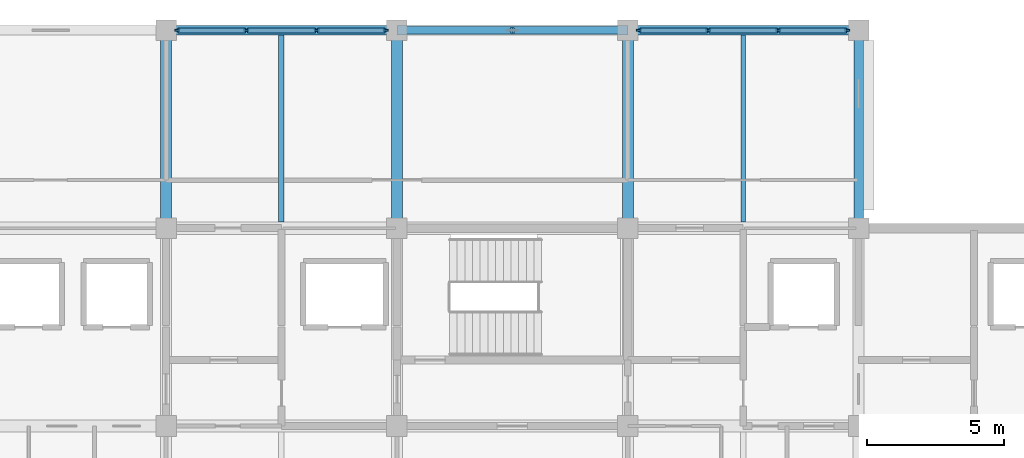
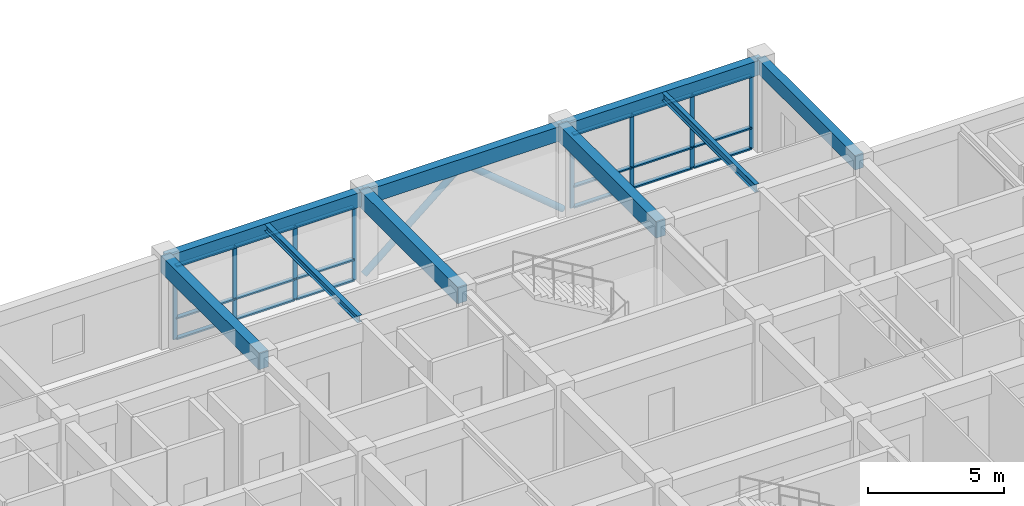
# One storey, part 9 of 27: 28 members, 9 beams, 2 elements without a shape of their own.
"""IFC4 building model written with IfcOpenShell, lengths in metres."""

from ifc_helpers import new_model, si_unit, direction, frame, origin, origin_2d, place, context, subcontext, project, spatial, rectangle, hollow_circle, i_section, extrude, material, layer, layer_set, material_profile, profile_set, type_object, element, aggregate, save


model = new_model("IFC4")

# Units and contexts
model_context = context("Model", 3, precision=1e-05, world=origin(), true_north=direction((0.0, 1.0)))
body_context = subcontext(model_context, "Body", "Model", "MODEL_VIEW")
ifc_project = project(units=[si_unit("LENGTHUNIT", "METRE"), si_unit("AREAUNIT", "SQUARE_METRE"), si_unit("VOLUMEUNIT", "CUBIC_METRE"), si_unit("PLANEANGLEUNIT", "RADIAN"), si_unit("MASSUNIT", "GRAM", prefix="KILO")], contexts=[model_context])

# Site, building, storey
site_placement = place(None, origin())
site = spatial("IfcSite", under=ifc_project, at=site_placement, CompositionType="ELEMENT")
building_placement = place(site_placement, origin())
building = spatial("IfcBuilding", under=site, at=building_placement, Name="Chengyuan Square Courthouse", CompositionType="ELEMENT")
storey_placement = place(building_placement, frame((0.0, 0.0, 35.10009765625)))
storey = spatial("IfcBuildingStorey", under=building, at=storey_placement, Name="L08", CompositionType="ELEMENT", Elevation=35.10009765625)

# Beams
ifc_material_1 = material(Name="Concrete C40", Category="concrete")
ifc_material_profile_1 = material_profile(ifc_material_1, rectangle(XDim=0.39990234375, YDim=0.75, at=origin_2d()), Name="RC-BM-400x750")
ifc_profile_set_1 = profile_set([ifc_material_profile_1], Name="Concrete C40")
beam_type_1 = type_object("IfcBeamType", Name="BM-02", PredefinedType="USERDEFINED", material=ifc_profile_set_1)
for number, where, z_axis, x_axis, name in (
    (1, (92.39990234375, 108.0, 3.574951171875), (0.0, 1.0, 0.0), (-1.0, 0.0, 0.0), "Girder BM-L08-3859"),
    (2, (100.800048828125, 108.0, 3.574951171875), (0.0, 1.0, 0.0), (-1.0, 0.0, 0.0), "Girder BM-L08-3864"),
    (3, (109.199951171875, 108.0, 3.574951171875), (0.0, 1.0, 0.0), (-1.0, 0.0, 0.0), "Girder BM-L08-3869"),
):
    element("IfcBeam", number, at=place(storey_placement, frame(where, z_axis=z_axis, x_axis=x_axis)), inside=storey, type_object=beam_type_1, Name=name, ObjectType="GIRDER", PredefinedType="USERDEFINED", context=body_context, shape_type="SweptSolid", body=[
        extrude(rectangle(XDim=0.39990234375, YDim=0.75, at=origin_2d()), origin(), (0.0, 0.0, 1.0), 7.199951171875),
    ])
ifc_material_profile_2 = material_profile(ifc_material_1, rectangle(XDim=0.35009765625, YDim=0.64990234375, at=origin_2d()), Name="RC-BM-350x650")
ifc_profile_set_2 = profile_set([ifc_material_profile_2], Name="Concrete C40")
beam_type_2 = type_object("IfcBeamType", Name="BM-03", PredefinedType="SPANDREL", material=ifc_profile_set_2)
beam_1_placement = place(storey_placement, frame((92.39990234375, 115.199951171875, 3.625), z_axis=(1.0, 0.0, 0.0), x_axis=(0.0, 1.0, 0.0)))
element("IfcBeam", 4, at=beam_1_placement, inside=storey, type_object=beam_type_2, Name="Girder BM-L08-3823", PredefinedType="SPANDREL", context=body_context, shape_type="SweptSolid", body=[
    extrude(rectangle(XDim=0.35009765625, YDim=0.64990234375, at=origin_2d()), origin(), (0.0, 0.0, 1.0), 8.400146484375),
])
beam_2_placement = place(storey_placement, frame((100.800048828125, 115.199951171875, 3.625), z_axis=(1.0, 0.0, 0.0), x_axis=(0.0, 1.0, 0.0)))
element("IfcBeam", 5, at=beam_2_placement, inside=storey, type_object=beam_type_2, Name="Girder BM-L08-3824", PredefinedType="SPANDREL", context=body_context, shape_type="SweptSolid", body=[
    extrude(rectangle(XDim=0.35009765625, YDim=0.64990234375, at=origin_2d()), origin(), (0.0, 0.0, 1.0), 8.39990234375),
])
beam_3_placement = place(storey_placement, frame((109.199951171875, 115.199951171875, 3.625), z_axis=(1.0, 0.0, 0.0), x_axis=(0.0, 1.0, 0.0)))
element("IfcBeam", 6, at=beam_3_placement, inside=storey, type_object=beam_type_2, Name="Girder BM-L08-3825", PredefinedType="SPANDREL", context=body_context, shape_type="SweptSolid", body=[
    extrude(rectangle(XDim=0.35009765625, YDim=0.64990234375, at=origin_2d()), origin(), (0.0, 0.0, 1.0), 8.400146484375),
])
beam_4_placement = place(storey_placement, frame((117.60009765625, 108.0, 3.625), z_axis=(0.0, 1.0, 0.0), x_axis=(-1.0, 0.0, 0.0)))
element("IfcBeam", 7, at=beam_4_placement, inside=storey, type_object=beam_type_2, Name="Girder BM-L08-3874", PredefinedType="SPANDREL", context=body_context, shape_type="SweptSolid", body=[
    extrude(rectangle(XDim=0.35009765625, YDim=0.64990234375, at=origin_2d()), origin(), (0.0, 0.0, 1.0), 7.199951171875),
])
ifc_material_2 = material(Name="Steel Q355B", Category="steel")
ifc_material_profile_3 = material_profile(ifc_material_2, i_section(OverallWidth=0.175048828125, OverallDepth=0.35009765625, WebThickness=0.007080078125, FlangeThickness=0.010986328125, at=origin_2d()), Name="HN 350x175x7x11")
ifc_profile_set_3 = profile_set([ifc_material_profile_3], Name="Steel Q355B")
beam_type_3 = type_object("IfcBeamType", Name="BM-08", PredefinedType="BEAM", material=ifc_profile_set_3)
beam_5_placement = place(storey_placement, frame((113.39990234375, 108.22509765625, 3.77490234375), z_axis=(0.0, 1.0, 0.0), x_axis=(-1.0, 0.0, 0.0)))
element("IfcBeam", 8, at=beam_5_placement, inside=storey, type_object=beam_type_3, Name="Secondary Floor Beam SBM-L08-3895", PredefinedType="BEAM", context=body_context, shape_type="SweptSolid", body=[
    extrude(i_section(OverallWidth=0.175048828125, OverallDepth=0.35009765625, WebThickness=0.007080078125, FlangeThickness=0.010986328125, at=origin_2d()), origin(), (0.0, 0.0, 1.0), 6.7998046875),
])
ifc_material_profile_4 = material_profile(ifc_material_2, i_section(OverallWidth=0.199951171875, OverallDepth=0.300048828125, WebThickness=0.008056640625, FlangeThickness=0.011962890625, at=origin_2d()), Name="HM 300x200x8x12")
ifc_profile_set_4 = profile_set([ifc_material_profile_4], Name="Steel Q355B")
beam_type_4 = type_object("IfcBeamType", Name="BM-09", PredefinedType="BEAM", material=ifc_profile_set_4)
beam_6_placement = place(storey_placement, frame((96.60009765625, 108.22509765625, 3.7998046875), z_axis=(0.0, 1.0, 0.0), x_axis=(-1.0, 0.0, 0.0)))
element("IfcBeam", 9, at=beam_6_placement, inside=storey, type_object=beam_type_4, Name="Secondary Floor Beam SBM-L08-3892", PredefinedType="BEAM", context=body_context, shape_type="SweptSolid", body=[
    extrude(i_section(OverallWidth=0.199951171875, OverallDepth=0.300048828125, WebThickness=0.008056640625, FlangeThickness=0.011962890625, at=origin_2d()), origin(), (0.0, 0.0, 1.0), 6.7998046875),
])

# Members
ifc_material_profile_5 = material_profile(ifc_material_2, hollow_circle(Radius=0.136474609375, WallThickness=0.010009765625, at=origin_2d()), Name="CHS 273x10")
ifc_profile_set_5 = profile_set([ifc_material_profile_5], Name="Steel Q355B")
member_type_1 = type_object("IfcMemberType", Name="BR-01", PredefinedType="BRACE", material=ifc_profile_set_5)
for number, where, z_axis, x_axis, name in (
    (10, (100.800048828125, 115.199951171875, 0.099853515625), (0.768217619255, 0.0, 0.64018879205), (0.0, 1.0, 0.0), "Steel Chevron Brace BR-L08-031"),
    (11, (109.199951171875, 115.199951171875, 0.099853515625), (-0.768217619255, 0.0, 0.64018879205), (0.0, -1.0, 0.0), "Steel Chevron Brace BR-L08-032"),
):
    element("IfcMember", number, at=place(storey_placement, frame(where, z_axis=z_axis, x_axis=x_axis)), inside=storey, type_object=member_type_1, Name=name, PredefinedType="BRACE", context=body_context, shape_type="SweptSolid", body=[
        extrude(hollow_circle(Radius=0.136474609375, WallThickness=0.010009765625, at=origin_2d()), origin(), (0.0, 0.0, 1.0), 5.467041015625),
    ])

# Curtain wall, members
ifc_material_3 = material(Name="Unitised Aluminium and Triple Low-E Glass", Category="aluminium")
ifc_layer = layer(ifc_material_3, 0.179931640625)
ifc_layer_set = layer_set([ifc_layer], Name="Unitised Aluminium and Triple Low-E Glass")
curtain_wall_type = type_object("IfcCurtainWallType", Name="CW-22", PredefinedType="USERDEFINED", material=ifc_layer_set)
curtain_wall_1_placement = place(storey_placement, origin())
curtain_wall_1 = element("IfcCurtainWall", 12, at=curtain_wall_1_placement, inside=storey, type_object=curtain_wall_type, Name="Unitised Curtain Wall CW-L08-229", ObjectType="UNITISED CURTAIN WALL", PredefinedType="USERDEFINED")
ifc_material_4 = material(Name="Aluminium 6063-T6 Frame", Category="aluminium")
ifc_material_profile_6 = material_profile(ifc_material_4, rectangle(XDim=0.06494140625, YDim=0.179931640625, at=origin_2d()), Name="CW-MUL-65x180")
ifc_profile_set_6 = profile_set([ifc_material_profile_6], Name="Aluminium 6063-T6 Frame")
member_type_2 = type_object("IfcMemberType", Name="CWM-02", PredefinedType="MULLION", material=ifc_profile_set_6)
member_1_placement = place(storey_placement, frame((92.8076171875, 115.199951171875, 0.0), z_axis=(0.0, 0.0, 1.0), x_axis=(0.0, 1.0, 0.0)))
member_1 = element("IfcMember", 13, at=member_1_placement, type_object=member_type_2, Name="CW-22 mullion 1", PredefinedType="MULLION", context=body_context, shape_type="SweptSolid", body=[
    extrude(rectangle(XDim=0.06494140625, YDim=0.179931640625, at=origin_2d()), origin(), (0.0, 0.0, 1.0), 3.2998046875),
])
member_2_placement = place(storey_placement, frame((95.324951171875, 115.199951171875, 0.0), z_axis=(0.0, 0.0, 1.0), x_axis=(0.0, 1.0, 0.0)))
member_2 = element("IfcMember", 14, at=member_2_placement, type_object=member_type_2, Name="CW-22 mullion 2", PredefinedType="MULLION", context=body_context, shape_type="SweptSolid", body=[
    extrude(rectangle(XDim=0.06494140625, YDim=0.179931640625, at=origin_2d()), origin(), (0.0, 0.0, 1.0), 3.2998046875),
])
member_3_placement = place(storey_placement, frame((97.875, 115.199951171875, 0.0), z_axis=(0.0, 0.0, 1.0), x_axis=(0.0, 1.0, 0.0)))
member_3 = element("IfcMember", 15, at=member_3_placement, type_object=member_type_2, Name="CW-22 mullion 3", PredefinedType="MULLION", context=body_context, shape_type="SweptSolid", body=[
    extrude(rectangle(XDim=0.06494140625, YDim=0.179931640625, at=origin_2d()), origin(), (0.0, 0.0, 1.0), 3.2998046875),
])
member_4_placement = place(storey_placement, frame((100.392578125, 115.199951171875, 0.0), z_axis=(0.0, 0.0, 1.0), x_axis=(0.0, 1.0, 0.0)))
member_4 = element("IfcMember", 16, at=member_4_placement, type_object=member_type_2, Name="CW-22 mullion 4", PredefinedType="MULLION", context=body_context, shape_type="SweptSolid", body=[
    extrude(rectangle(XDim=0.06494140625, YDim=0.179931640625, at=origin_2d()), origin(), (0.0, 0.0, 1.0), 3.2998046875),
])

curtain_wall_2_placement = place(storey_placement, origin())
curtain_wall_2 = element("IfcCurtainWall", 17, at=curtain_wall_2_placement, inside=storey, type_object=curtain_wall_type, Name="Unitised Curtain Wall CW-L08-232", ObjectType="UNITISED CURTAIN WALL", PredefinedType="USERDEFINED")
member_5_placement = place(storey_placement, frame((109.607421875, 115.199951171875, 0.0), z_axis=(0.0, 0.0, 1.0), x_axis=(0.0, 1.0, 0.0)))
member_5 = element("IfcMember", 18, at=member_5_placement, type_object=member_type_2, Name="CW-22 mullion 1", PredefinedType="MULLION", context=body_context, shape_type="SweptSolid", body=[
    extrude(rectangle(XDim=0.06494140625, YDim=0.179931640625, at=origin_2d()), origin(), (0.0, 0.0, 1.0), 3.2998046875),
])
member_6_placement = place(storey_placement, frame((112.125, 115.199951171875, 0.0), z_axis=(0.0, 0.0, 1.0), x_axis=(0.0, 1.0, 0.0)))
member_6 = element("IfcMember", 19, at=member_6_placement, type_object=member_type_2, Name="CW-22 mullion 2", PredefinedType="MULLION", context=body_context, shape_type="SweptSolid", body=[
    extrude(rectangle(XDim=0.06494140625, YDim=0.179931640625, at=origin_2d()), origin(), (0.0, 0.0, 1.0), 3.2998046875),
])
member_7_placement = place(storey_placement, frame((114.675048828125, 115.199951171875, 0.0), z_axis=(0.0, 0.0, 1.0), x_axis=(0.0, 1.0, 0.0)))
member_7 = element("IfcMember", 20, at=member_7_placement, type_object=member_type_2, Name="CW-22 mullion 3", PredefinedType="MULLION", context=body_context, shape_type="SweptSolid", body=[
    extrude(rectangle(XDim=0.06494140625, YDim=0.179931640625, at=origin_2d()), origin(), (0.0, 0.0, 1.0), 3.2998046875),
])
member_8_placement = place(storey_placement, frame((117.1923828125, 115.199951171875, 0.0), z_axis=(0.0, 0.0, 1.0), x_axis=(0.0, 1.0, 0.0)))
member_8 = element("IfcMember", 21, at=member_8_placement, type_object=member_type_2, Name="CW-22 mullion 4", PredefinedType="MULLION", context=body_context, shape_type="SweptSolid", body=[
    extrude(rectangle(XDim=0.06494140625, YDim=0.179931640625, at=origin_2d()), origin(), (0.0, 0.0, 1.0), 3.2998046875),
])

# Member
ifc_material_profile_7 = material_profile(ifc_material_4, rectangle(XDim=0.179931640625, YDim=0.06494140625, at=origin_2d()), Name="CW-TRN-65x140")
ifc_profile_set_7 = profile_set([ifc_material_profile_7], Name="Aluminium 6063-T6 Frame")
member_type_3 = type_object("IfcMemberType", Name="CWT-02", PredefinedType="USERDEFINED", material=ifc_profile_set_7)
member_9_placement = place(storey_placement, frame((92.840087890625, 115.199951171875, 0.032470703125), z_axis=(1.0, 0.0, 0.0), x_axis=(0.0, 1.0, 0.0)))
member_9 = element("IfcMember", 22, at=member_9_placement, type_object=member_type_3, Name="CW-22 transom 1.1", ObjectType="TRANSOM", PredefinedType="USERDEFINED", context=body_context, shape_type="SweptSolid", body=[
    extrude(rectangle(XDim=0.179931640625, YDim=0.06494140625, at=origin_2d()), origin(), (0.0, 0.0, 1.0), 2.452392578125),
])

member_10_placement = place(storey_placement, frame((92.840087890625, 115.199951171875, 0.949951171875), z_axis=(1.0, 0.0, 0.0), x_axis=(0.0, 1.0, 0.0)))
member_10 = element("IfcMember", 23, at=member_10_placement, type_object=member_type_3, Name="CW-22 transom 1.2", ObjectType="TRANSOM", PredefinedType="USERDEFINED", context=body_context, shape_type="SweptSolid", body=[
    extrude(rectangle(XDim=0.179931640625, YDim=0.06494140625, at=origin_2d()), origin(), (0.0, 0.0, 1.0), 2.452392578125),
])

member_11_placement = place(storey_placement, frame((92.840087890625, 115.199951171875, 3.267333984375), z_axis=(1.0, 0.0, 0.0), x_axis=(0.0, 1.0, 0.0)))
member_11 = element("IfcMember", 24, at=member_11_placement, type_object=member_type_3, Name="CW-22 transom 1.3", ObjectType="TRANSOM", PredefinedType="USERDEFINED", context=body_context, shape_type="SweptSolid", body=[
    extrude(rectangle(XDim=0.179931640625, YDim=0.06494140625, at=origin_2d()), origin(), (0.0, 0.0, 1.0), 2.452392578125),
])

member_12_placement = place(storey_placement, frame((95.357421875, 115.199951171875, 0.032470703125), z_axis=(1.0, 0.0, 0.0), x_axis=(0.0, 1.0, 0.0)))
member_12 = element("IfcMember", 25, at=member_12_placement, type_object=member_type_3, Name="CW-22 transom 2.1", ObjectType="TRANSOM", PredefinedType="USERDEFINED", context=body_context, shape_type="SweptSolid", body=[
    extrude(rectangle(XDim=0.179931640625, YDim=0.06494140625, at=origin_2d()), origin(), (0.0, 0.0, 1.0), 2.485107421875),
])

member_13_placement = place(storey_placement, frame((95.357421875, 115.199951171875, 0.949951171875), z_axis=(1.0, 0.0, 0.0), x_axis=(0.0, 1.0, 0.0)))
member_13 = element("IfcMember", 26, at=member_13_placement, type_object=member_type_3, Name="CW-22 transom 2.2", ObjectType="TRANSOM", PredefinedType="USERDEFINED", context=body_context, shape_type="SweptSolid", body=[
    extrude(rectangle(XDim=0.179931640625, YDim=0.06494140625, at=origin_2d()), origin(), (0.0, 0.0, 1.0), 2.485107421875),
])

member_14_placement = place(storey_placement, frame((95.357421875, 115.199951171875, 3.267333984375), z_axis=(1.0, 0.0, 0.0), x_axis=(0.0, 1.0, 0.0)))
member_14 = element("IfcMember", 27, at=member_14_placement, type_object=member_type_3, Name="CW-22 transom 2.3", ObjectType="TRANSOM", PredefinedType="USERDEFINED", context=body_context, shape_type="SweptSolid", body=[
    extrude(rectangle(XDim=0.179931640625, YDim=0.06494140625, at=origin_2d()), origin(), (0.0, 0.0, 1.0), 2.485107421875),
])

member_15_placement = place(storey_placement, frame((97.907470703125, 115.199951171875, 0.032470703125), z_axis=(1.0, 0.0, 0.0), x_axis=(0.0, 1.0, 0.0)))
member_15 = element("IfcMember", 28, at=member_15_placement, type_object=member_type_3, Name="CW-22 transom 3.1", ObjectType="TRANSOM", PredefinedType="USERDEFINED", context=body_context, shape_type="SweptSolid", body=[
    extrude(rectangle(XDim=0.179931640625, YDim=0.06494140625, at=origin_2d()), origin(), (0.0, 0.0, 1.0), 2.45263671875),
])

member_16_placement = place(storey_placement, frame((97.907470703125, 115.199951171875, 0.949951171875), z_axis=(1.0, 0.0, 0.0), x_axis=(0.0, 1.0, 0.0)))
member_16 = element("IfcMember", 29, at=member_16_placement, type_object=member_type_3, Name="CW-22 transom 3.2", ObjectType="TRANSOM", PredefinedType="USERDEFINED", context=body_context, shape_type="SweptSolid", body=[
    extrude(rectangle(XDim=0.179931640625, YDim=0.06494140625, at=origin_2d()), origin(), (0.0, 0.0, 1.0), 2.45263671875),
])

member_17_placement = place(storey_placement, frame((97.907470703125, 115.199951171875, 3.267333984375), z_axis=(1.0, 0.0, 0.0), x_axis=(0.0, 1.0, 0.0)))
member_17 = element("IfcMember", 30, at=member_17_placement, type_object=member_type_3, Name="CW-22 transom 3.3", ObjectType="TRANSOM", PredefinedType="USERDEFINED", context=body_context, shape_type="SweptSolid", body=[
    extrude(rectangle(XDim=0.179931640625, YDim=0.06494140625, at=origin_2d()), origin(), (0.0, 0.0, 1.0), 2.45263671875),
])

aggregate(curtain_wall_1, [member_1, member_2, member_3, member_4, member_9, member_10, member_11, member_12, member_13, member_14, member_15, member_16, member_17])

member_18_placement = place(storey_placement, frame((109.639892578125, 115.199951171875, 0.032470703125), z_axis=(1.0, 0.0, 0.0), x_axis=(0.0, 1.0, 0.0)))
member_18 = element("IfcMember", 31, at=member_18_placement, type_object=member_type_3, Name="CW-22 transom 1.1", ObjectType="TRANSOM", PredefinedType="USERDEFINED", context=body_context, shape_type="SweptSolid", body=[
    extrude(rectangle(XDim=0.179931640625, YDim=0.06494140625, at=origin_2d()), origin(), (0.0, 0.0, 1.0), 2.45263671875),
])

member_19_placement = place(storey_placement, frame((109.639892578125, 115.199951171875, 0.949951171875), z_axis=(1.0, 0.0, 0.0), x_axis=(0.0, 1.0, 0.0)))
member_19 = element("IfcMember", 32, at=member_19_placement, type_object=member_type_3, Name="CW-22 transom 1.2", ObjectType="TRANSOM", PredefinedType="USERDEFINED", context=body_context, shape_type="SweptSolid", body=[
    extrude(rectangle(XDim=0.179931640625, YDim=0.06494140625, at=origin_2d()), origin(), (0.0, 0.0, 1.0), 2.45263671875),
])

member_20_placement = place(storey_placement, frame((109.639892578125, 115.199951171875, 3.267333984375), z_axis=(1.0, 0.0, 0.0), x_axis=(0.0, 1.0, 0.0)))
member_20 = element("IfcMember", 33, at=member_20_placement, type_object=member_type_3, Name="CW-22 transom 1.3", ObjectType="TRANSOM", PredefinedType="USERDEFINED", context=body_context, shape_type="SweptSolid", body=[
    extrude(rectangle(XDim=0.179931640625, YDim=0.06494140625, at=origin_2d()), origin(), (0.0, 0.0, 1.0), 2.45263671875),
])

member_21_placement = place(storey_placement, frame((112.157470703125, 115.199951171875, 0.032470703125), z_axis=(1.0, 0.0, 0.0), x_axis=(0.0, 1.0, 0.0)))
member_21 = element("IfcMember", 34, at=member_21_placement, type_object=member_type_3, Name="CW-22 transom 2.1", ObjectType="TRANSOM", PredefinedType="USERDEFINED", context=body_context, shape_type="SweptSolid", body=[
    extrude(rectangle(XDim=0.179931640625, YDim=0.06494140625, at=origin_2d()), origin(), (0.0, 0.0, 1.0), 2.485107421875),
])

member_22_placement = place(storey_placement, frame((112.157470703125, 115.199951171875, 0.949951171875), z_axis=(1.0, 0.0, 0.0), x_axis=(0.0, 1.0, 0.0)))
member_22 = element("IfcMember", 35, at=member_22_placement, type_object=member_type_3, Name="CW-22 transom 2.2", ObjectType="TRANSOM", PredefinedType="USERDEFINED", context=body_context, shape_type="SweptSolid", body=[
    extrude(rectangle(XDim=0.179931640625, YDim=0.06494140625, at=origin_2d()), origin(), (0.0, 0.0, 1.0), 2.485107421875),
])

member_23_placement = place(storey_placement, frame((112.157470703125, 115.199951171875, 3.267333984375), z_axis=(1.0, 0.0, 0.0), x_axis=(0.0, 1.0, 0.0)))
member_23 = element("IfcMember", 36, at=member_23_placement, type_object=member_type_3, Name="CW-22 transom 2.3", ObjectType="TRANSOM", PredefinedType="USERDEFINED", context=body_context, shape_type="SweptSolid", body=[
    extrude(rectangle(XDim=0.179931640625, YDim=0.06494140625, at=origin_2d()), origin(), (0.0, 0.0, 1.0), 2.485107421875),
])

member_24_placement = place(storey_placement, frame((114.70751953125, 115.199951171875, 0.032470703125), z_axis=(1.0, 0.0, 0.0), x_axis=(0.0, 1.0, 0.0)))
member_24 = element("IfcMember", 37, at=member_24_placement, type_object=member_type_3, Name="CW-22 transom 3.1", ObjectType="TRANSOM", PredefinedType="USERDEFINED", context=body_context, shape_type="SweptSolid", body=[
    extrude(rectangle(XDim=0.179931640625, YDim=0.06494140625, at=origin_2d()), origin(), (0.0, 0.0, 1.0), 2.452392578125),
])

member_25_placement = place(storey_placement, frame((114.70751953125, 115.199951171875, 0.949951171875), z_axis=(1.0, 0.0, 0.0), x_axis=(0.0, 1.0, 0.0)))
member_25 = element("IfcMember", 38, at=member_25_placement, type_object=member_type_3, Name="CW-22 transom 3.2", ObjectType="TRANSOM", PredefinedType="USERDEFINED", context=body_context, shape_type="SweptSolid", body=[
    extrude(rectangle(XDim=0.179931640625, YDim=0.06494140625, at=origin_2d()), origin(), (0.0, 0.0, 1.0), 2.452392578125),
])

member_26_placement = place(storey_placement, frame((114.70751953125, 115.199951171875, 3.267333984375), z_axis=(1.0, 0.0, 0.0), x_axis=(0.0, 1.0, 0.0)))
member_26 = element("IfcMember", 39, at=member_26_placement, type_object=member_type_3, Name="CW-22 transom 3.3", ObjectType="TRANSOM", PredefinedType="USERDEFINED", context=body_context, shape_type="SweptSolid", body=[
    extrude(rectangle(XDim=0.179931640625, YDim=0.06494140625, at=origin_2d()), origin(), (0.0, 0.0, 1.0), 2.452392578125),
])

aggregate(curtain_wall_2, [member_5, member_6, member_7, member_8, member_18, member_19, member_20, member_21, member_22, member_23, member_24, member_25, member_26])

save(model, "model.ifc")
